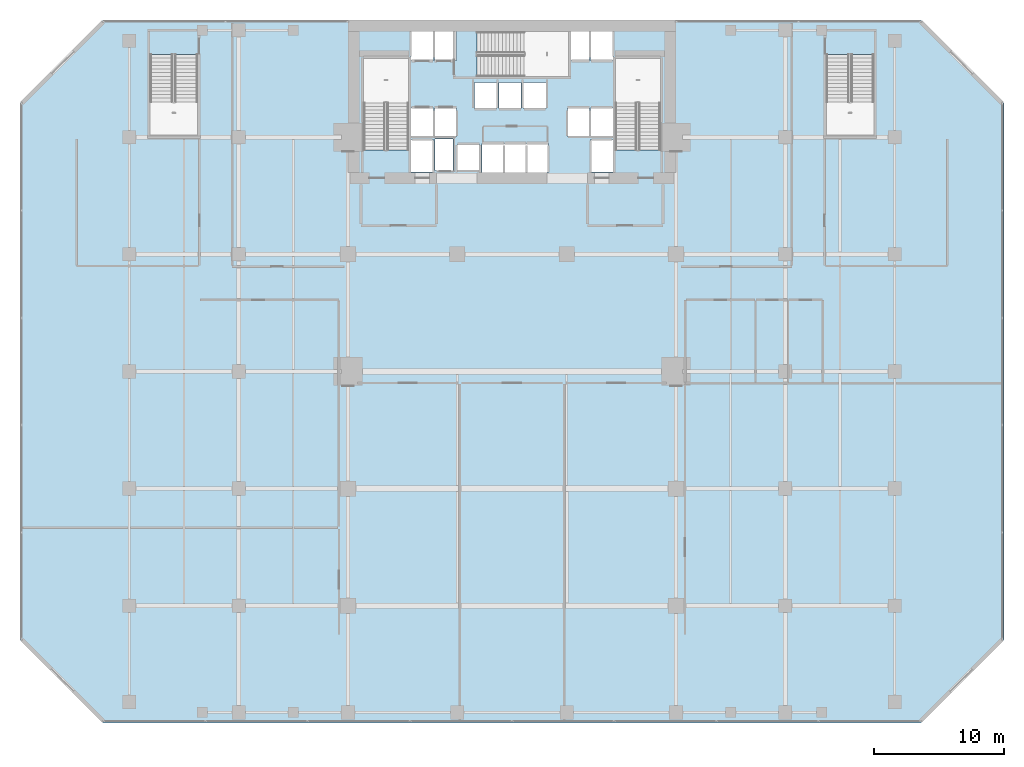
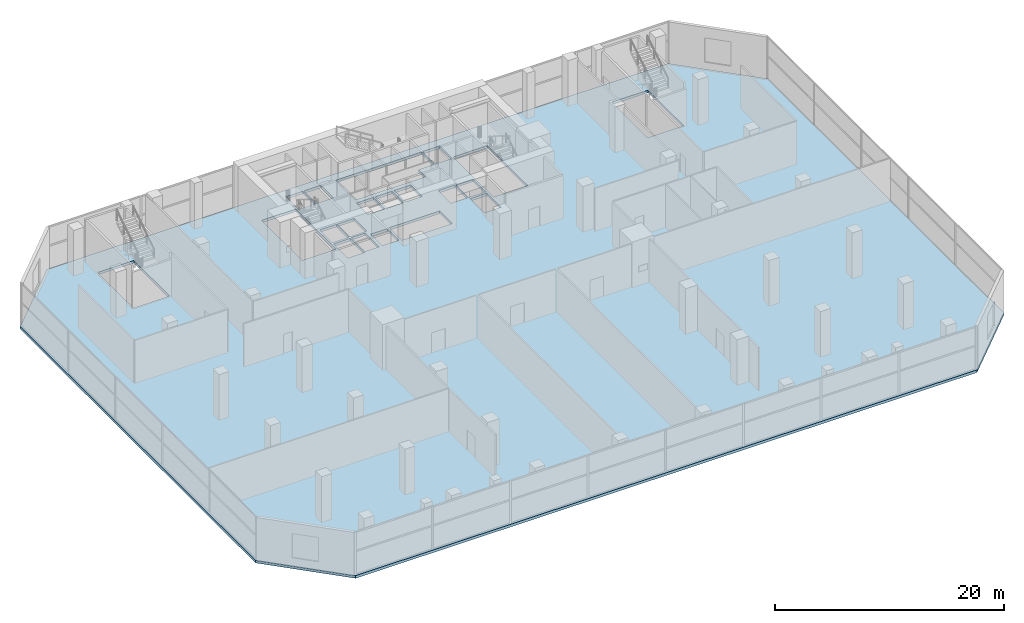
# One storey, part 32 of 39: 1 slab.
"""IFC4 building model written with IfcOpenShell, lengths in metres."""

from ifc_helpers import new_model, si_unit, direction, frame, origin, place, context, subcontext, project, spatial, polyline, outline, extrude, material, layer, layer_set, type_object, element, save


model = new_model("IFC4")

# Units and contexts
model_context = context("Model", 3, precision=1e-05, world=origin(), true_north=direction((0.0, 1.0)))
body_context = subcontext(model_context, "Body", "Model", "MODEL_VIEW")
ifc_project = project(units=[si_unit("LENGTHUNIT", "METRE"), si_unit("AREAUNIT", "SQUARE_METRE"), si_unit("VOLUMEUNIT", "CUBIC_METRE"), si_unit("PLANEANGLEUNIT", "RADIAN"), si_unit("MASSUNIT", "GRAM", prefix="KILO")], contexts=[model_context])

# Site, building, storey
site_placement = place(None, origin())
site = spatial("IfcSite", under=ifc_project, at=site_placement, CompositionType="ELEMENT")
building_placement = place(site_placement, origin())
building = spatial("IfcBuilding", under=site, at=building_placement, Name="Maruvema Waterfront Hotel and Observation Tower", CompositionType="ELEMENT")
storey_placement = place(building_placement, frame((0.0, 0.0, 16.449951171875)))
storey = spatial("IfcBuildingStorey", under=building, at=storey_placement, Name="L03", CompositionType="ELEMENT", Elevation=16.449951171875)

# Slab
ifc_material = material(Name="Concrete C50/60", Category="concrete")
ifc_layer = layer(ifc_material, 0.280029296875, Name="Reinforced Concrete Floor Slab 280 mm")
ifc_layer_set = layer_set([ifc_layer], Name="Concrete C50/60")
slab_type = type_object("IfcSlabType", Name="Reinforced Concrete Floor Slab 280 mm", PredefinedType="FLOOR", material=ifc_layer_set)
slab_placement = place(storey_placement, frame((0.0, 0.0, -0.280029296875)))
element("IfcSlab", 1, at=slab_placement, inside=storey, type_object=slab_type, Name="L03 Structural Floor Slab", PredefinedType="FLOOR", context=body_context, shape_type="SweptSolid", body=[
    extrude(outline(polyline([(6.39990234375, 0.0), (69.199951171875, 0.0), (75.60009765625, 6.39990234375), (75.60009765625, 47.60009765625), (69.199951171875, 54.0), (6.39990234375, 54.0), (0.0, 47.60009765625), (0.0, 6.39990234375), (6.39990234375, 0.0)]), holes=[polyline([(13.64990234375, 45.10009765625), (10.0, 45.10009765625), (10.0, 51.349365234375), (13.64990234375, 51.349365234375), (13.64990234375, 45.10009765625)]), polyline([(26.39990234375, 51.050048828125), (29.85009765625, 51.050048828125), (29.85009765625, 44.00048828125), (26.39990234375, 44.00048828125), (26.39990234375, 51.050048828125)]), polyline([(30.050048828125, 44.800048828125), (31.75, 44.800048828125), (31.75, 42.320068359375), (30.050048828125, 42.320068359375), (30.050048828125, 44.800048828125)]), polyline([(31.75, 47.25), (31.75, 45.050048828125), (30.050048828125, 45.050048828125), (30.050048828125, 47.25), (31.75, 47.25)]), polyline([(31.75, 53.10009765625), (31.75, 50.89990234375), (30.050048828125, 50.89990234375), (30.050048828125, 53.10009765625), (31.75, 53.10009765625)]), polyline([(33.280029296875, 44.860107421875), (33.280029296875, 42.43994140625), (31.8798828125, 42.43994140625), (31.8798828125, 44.860107421875), (33.280029296875, 44.860107421875)]), polyline([(31.85009765625, 47.25), (33.550048828125, 47.25), (33.550048828125, 45.050048828125), (31.85009765625, 45.050048828125), (31.85009765625, 47.25)]), polyline([(31.85009765625, 53.10009765625), (33.550048828125, 53.10009765625), (33.550048828125, 50.89990234375), (31.85009765625, 50.89990234375), (31.85009765625, 53.10009765625)]), polyline([(33.60009765625, 44.449951171875), (35.300048828125, 44.449951171875), (35.300048828125, 42.449951171875), (33.60009765625, 42.449951171875), (33.60009765625, 44.449951171875)]), polyline([(36.60009765625, 49.199951171875), (36.60009765625, 47.199951171875), (34.89990234375, 47.199951171875), (34.89990234375, 49.199951171875), (36.60009765625, 49.199951171875)]), polyline([(36.800048828125, 49.199951171875), (38.5, 49.199951171875), (38.5, 47.199951171875), (36.800048828125, 47.199951171875), (36.800048828125, 49.199951171875)]), polyline([(35.5, 44.5), (40.60009765625, 44.5), (40.60009765625, 42.300048828125), (35.5, 42.300048828125), (35.5, 44.5)]), polyline([(43.75, 50.89990234375), (42.14990234375, 50.89990234375), (42.14990234375, 49.64990234375), (35.1005859375, 49.64990234375), (35.1005859375, 53.10009765625), (43.75, 53.10009765625), (43.75, 50.89990234375)]), polyline([(40.39990234375, 49.199951171875), (40.39990234375, 47.199951171875), (38.699951171875, 47.199951171875), (38.699951171875, 49.199951171875), (40.39990234375, 49.199951171875)]), polyline([(43.75, 47.25), (43.75, 45.050048828125), (42.050048828125, 45.050048828125), (42.050048828125, 47.25), (43.75, 47.25)]), polyline([(43.85009765625, 44.800048828125), (45.550048828125, 44.800048828125), (45.550048828125, 42.320068359375), (43.85009765625, 42.320068359375), (43.85009765625, 44.800048828125)]), polyline([(45.550048828125, 47.25), (45.550048828125, 45.050048828125), (43.85009765625, 45.050048828125), (43.85009765625, 47.25), (45.550048828125, 47.25)]), polyline([(45.550048828125, 53.10009765625), (45.550048828125, 50.89990234375), (43.85009765625, 50.89990234375), (43.85009765625, 53.10009765625), (45.550048828125, 53.10009765625)]), polyline([(45.75, 44.00048828125), (45.75, 51.050048828125), (49.199951171875, 51.050048828125), (49.199951171875, 44.00048828125), (45.75, 44.00048828125)]), polyline([(65.60009765625, 45.10009765625), (61.949951171875, 45.10009765625), (61.949951171875, 51.349365234375), (65.60009765625, 51.349365234375), (65.60009765625, 45.10009765625)])]), origin(), (0.0, 0.0, 1.0), 0.280029296875),
])

save(model, "model.ifc")
